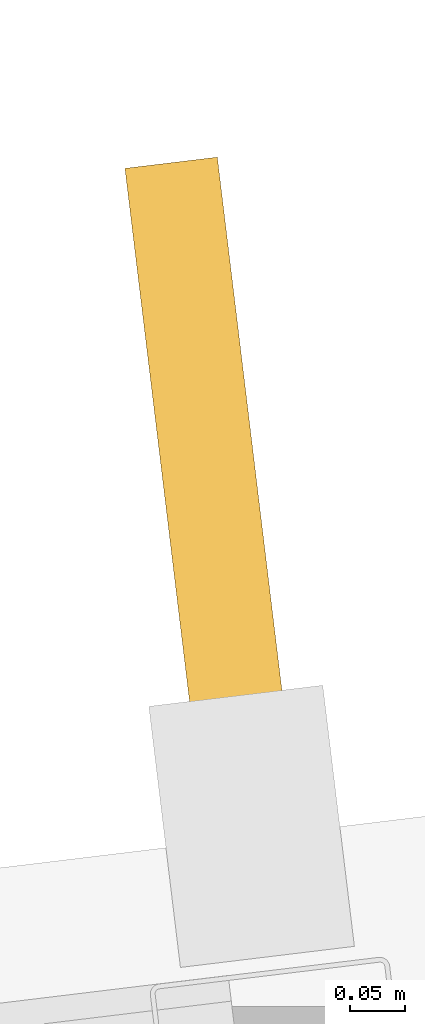
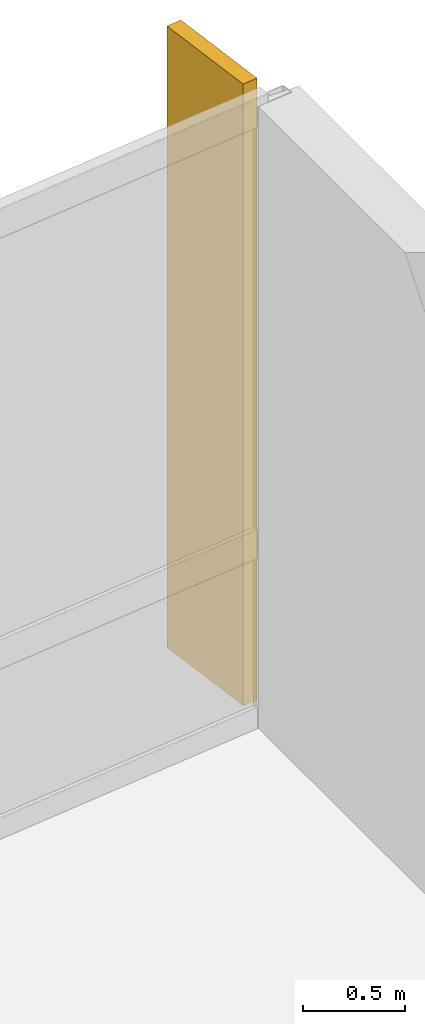
# One storey, part 18 of 18: 1 shading device.
"""IFC4 building model written with IfcOpenShell, lengths in metres."""

from ifc_helpers import new_model, si_unit, direction, frame, origin, origin_2d, place, context, subcontext, project, spatial, rectangle, extrude, material, layer, layer_set, type_object, element, save


model = new_model("IFC4")

# Units and contexts
model_context = context("Model", 3, precision=1e-05, world=origin(), true_north=direction((0.0, 1.0)))
body_context = subcontext(model_context, "Body", "Model", "MODEL_VIEW")
ifc_project = project(units=[si_unit("LENGTHUNIT", "METRE"), si_unit("AREAUNIT", "SQUARE_METRE"), si_unit("VOLUMEUNIT", "CUBIC_METRE"), si_unit("PLANEANGLEUNIT", "RADIAN"), si_unit("MASSUNIT", "GRAM", prefix="KILO")], contexts=[model_context])

# Site, building, storey
site_placement = place(None, origin())
site = spatial("IfcSite", under=ifc_project, at=site_placement, CompositionType="ELEMENT")
building_placement = place(site_placement, origin())
building = spatial("IfcBuilding", under=site, at=building_placement, Name="Varnakote Quay Hospital", CompositionType="ELEMENT")
storey_placement = place(building_placement, frame((0.0, 0.0, 150.75)))
storey = spatial("IfcBuildingStorey", under=building, at=storey_placement, Name="L37", CompositionType="ELEMENT", Elevation=150.75)

# Shading device
ifc_material = material(Name="Anodised aluminium 6063-T6 Bronze", Category="aluminium")
ifc_layer = layer(ifc_material, 0.0849609375)
ifc_layer_set = layer_set([ifc_layer], Name="Anodised aluminium 6063-T6 Bronze")
shading_device_type = type_object("IfcShadingDeviceType", Name="SHD-BRONZE-FIN-620", PredefinedType="USERDEFINED", material=ifc_layer_set)
shading_device_placement = place(storey_placement, frame((53.9462890625, 33.381591796875, 0.0), z_axis=(0.0, 0.0, 1.0), x_axis=(0.120310105847, -0.992736358975, 0.0)))
element("IfcShadingDevice", 1, at=shading_device_placement, inside=storey, type_object=shading_device_type, Name="L37 Anodised Bronze Vertical Shading FIN", ObjectType="FIN", PredefinedType="USERDEFINED", context=body_context, shape_type="SweptSolid", body=[
    extrude(rectangle(XDim=0.6201171875, YDim=0.0849609375, at=origin_2d()), origin(), (0.0, 0.0, 1.0), 3.7099609375),
])

save(model, "model.ifc")
